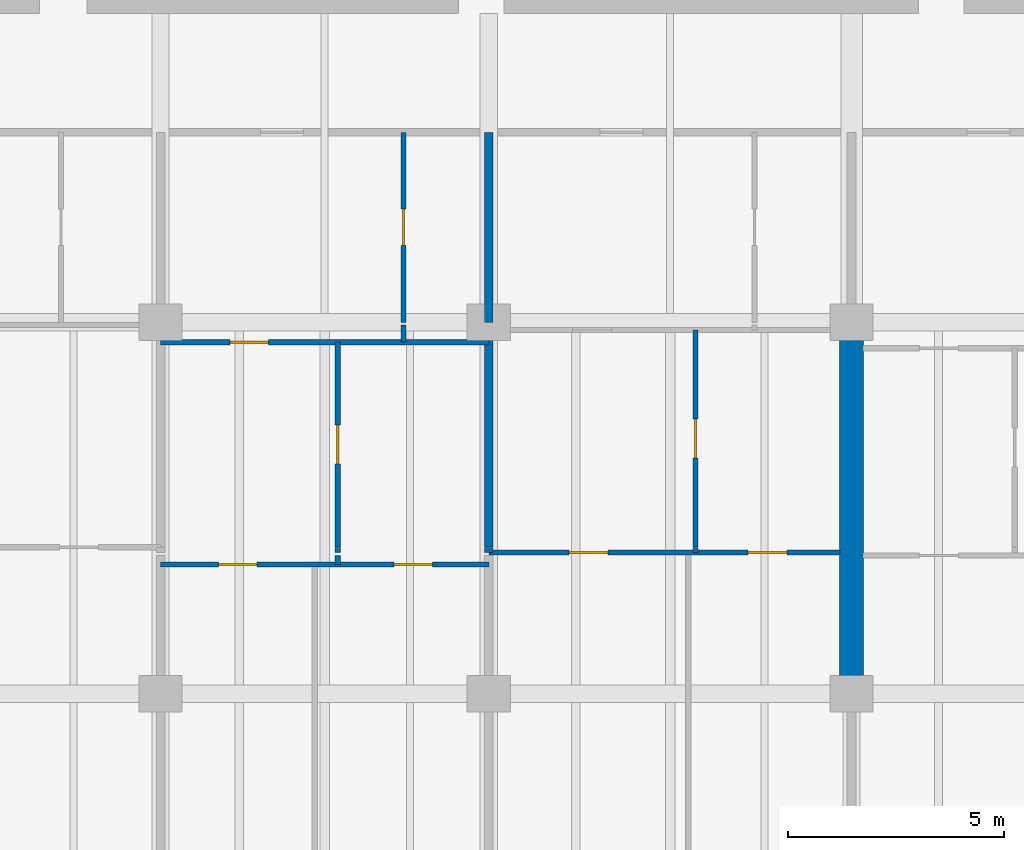
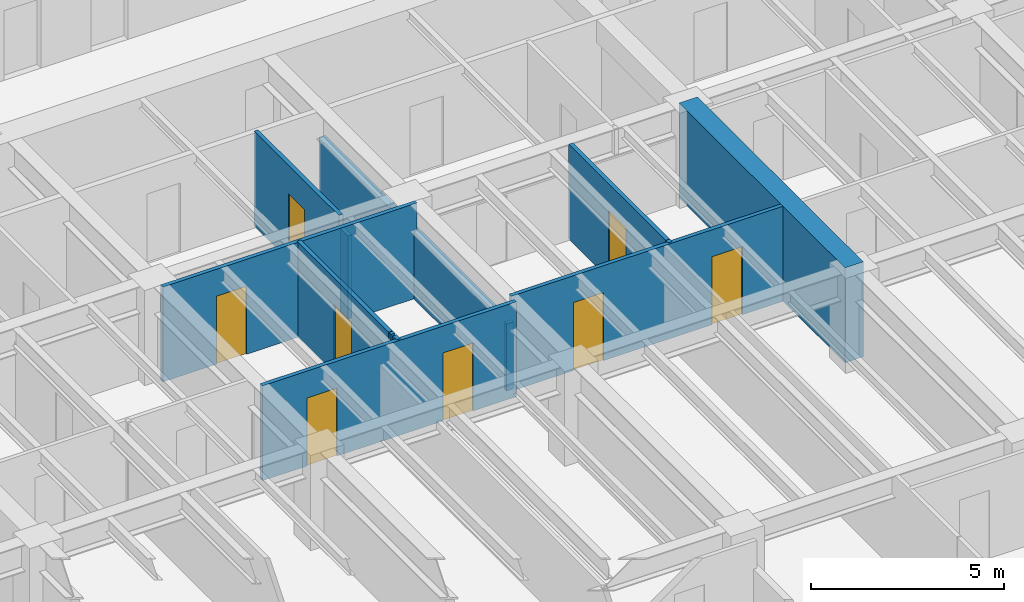
# One storey, part 9 of 19: 14 walls, 8 doors, 8 openings.
"""IFC4 building model written with IfcOpenShell, lengths in metres."""

from ifc_helpers import new_model, si_unit, direction, frame, frame_2d, origin, place, context, subcontext, project, spatial, rectangle, extrude, material, layer, layer_set, type_object, element, fill, save


model = new_model("IFC4")

# Units and contexts
model_context = context("Model", 3, precision=1e-05, world=origin(), true_north=direction((0.0, 1.0)))
body_context = subcontext(model_context, "Body", "Model", "MODEL_VIEW")
ifc_project = project(units=[si_unit("LENGTHUNIT", "METRE"), si_unit("AREAUNIT", "SQUARE_METRE"), si_unit("VOLUMEUNIT", "CUBIC_METRE"), si_unit("PLANEANGLEUNIT", "RADIAN"), si_unit("MASSUNIT", "GRAM", prefix="KILO")], contexts=[model_context])

# Site, building, storey
site_placement = place(None, origin())
site = spatial("IfcSite", under=ifc_project, at=site_placement, CompositionType="ELEMENT")
building_placement = place(site_placement, origin())
building = spatial("IfcBuilding", under=site, at=building_placement, Name="Caelmar Bay Residences", CompositionType="ELEMENT")
storey_placement = place(building_placement, frame((0.0, 0.0, 94.5)))
storey = spatial("IfcBuildingStorey", under=building, at=storey_placement, Name="L25", CompositionType="ELEMENT", Elevation=94.5)

# Walls
ifc_material_1 = material(Name="Concrete f'c 70 MPa (10,000 psi)", Category="concrete")
ifc_layer_1 = layer(ifc_material_1, 0.550048828125)
ifc_layer_set_1 = layer_set([ifc_layer_1], Name="Concrete f'c 70 MPa (10,000 psi)")
wall_type_1 = type_object("IfcWallType", Name="SW-XSLB-550", PredefinedType="SHEAR", material=ifc_layer_set_1)
wall_1_placement = place(storey_placement, frame((51.10009765625, 20.800048828125, 0.0), z_axis=(0.0, 0.0, 1.0), x_axis=(0.0, 1.0, 0.0)))
element("IfcWall", 1, at=wall_1_placement, inside=storey, type_object=wall_type_1, Name="L25 Transverse Cross-Slab Shear Wall E8", PredefinedType="SHEAR", context=body_context, shape_type="SweptSolid", body=[
    extrude(rectangle(XDim=8.599853515625, YDim=0.550048828125, at=frame_2d((4.2998046875, 0.0))), origin(), (0.0, 0.0, 1.0), 3.0),
])
ifc_material_2 = material(Name="Acoustic metal-stud gypsum partition 120 mm")
ifc_layer_2 = layer(ifc_material_2, 0.1201171875)
ifc_layer_set_2 = layer_set([ifc_layer_2], Name="Acoustic metal-stud gypsum partition 120 mm")
wall_type_2 = type_object("IfcWallType", Name="W-PRT-120", PredefinedType="PARTITIONING", material=ifc_layer_set_2)
wall_2_placement = place(storey_placement, frame((39.2041015625, 23.7900390625, 0.0), z_axis=(0.0, 0.0, 1.0), x_axis=(0.0, 1.0, 0.0)))
element("IfcWall", 2, at=wall_2_placement, inside=storey, type_object=wall_type_2, Name="L25 Partition Wall V047", PredefinedType="PARTITIONING", context=body_context, shape_type="SweptSolid", body=[
    extrude(rectangle(XDim=0.2099609375, YDim=0.1201171875, at=frame_2d((0.10498046875, 0.0))), origin(), (0.0, 0.0, 1.0), 3.0),
])
wall_3_placement = place(storey_placement, frame((39.2041015625, 24.070068359375, 0.0), z_axis=(0.0, 0.0, 1.0), x_axis=(0.0, 1.0, 0.0)))
element("IfcWall", 3, at=wall_3_placement, inside=storey, type_object=wall_type_2, Name="L25 Partition Wall V048", PredefinedType="PARTITIONING", context=body_context, shape_type="SweptSolid", body=[
    extrude(rectangle(XDim=0.119873046875, YDim=0.1201171875, at=frame_2d((0.06005859375, 0.0))), origin(), (0.0, 0.0, 1.0), 3.0),
])

# Wall, opening, door
wall_4_placement = place(storey_placement, frame((39.2041015625, 24.199951171875, 0.0), z_axis=(0.0, 0.0, 1.0), x_axis=(0.0, 1.0, 0.0)))
wall_4 = element("IfcWall", 4, at=wall_4_placement, inside=storey, type_object=wall_type_2, Name="L25 Partition Wall V049", PredefinedType="PARTITIONING", context=body_context, shape_type="SweptSolid", body=[
    extrude(rectangle(XDim=4.739990234375, YDim=0.1201171875, at=frame_2d((2.3701171875, 0.0))), origin(), (0.0, 0.0, 1.0), 3.0),
])
opening_1_placement = place(wall_4_placement, frame((1.919921875, 0.0, 0.0)))
opening_1 = element("IfcOpeningElement", 5, at=opening_1_placement, cuts=wall_4, Name="Opening D-L25-140", PredefinedType="OPENING", context=body_context, shape_type="SweptSolid", body=[
    extrude(rectangle(XDim=0.89990234375, YDim=2.14990234375, at=frame_2d((0.449951171875, 1.074951171875))), frame((0.0, 0.070068359375, 0.0), z_axis=(0.0, -1.0, 0.0), x_axis=(1.0, 0.0, 0.0)), (0.0, 0.0, 1.0), 0.14013671875),
])
ifc_material_3 = material(Name="Solid walnut timber interior door leaf and frame", Category="wood")
ifc_layer_3 = layer(ifc_material_3, 0.050048828125)
ifc_layer_set_3 = layer_set([ifc_layer_3], Name="Solid walnut timber interior door leaf and frame")
door_type_1 = type_object("IfcDoorType", Name="D-ROOM-900", OperationType="NOTDEFINED", PredefinedType="DOOR", material=ifc_layer_set_3)
door_1_placement = place(opening_1_placement, origin())
door_1 = element("IfcDoor", 6, at=door_1_placement, inside=storey, type_object=door_type_1, Name="L25 Residence 03 Home Office Door", OperationType="SINGLE_SWING_LEFT", OverallHeight=2.14990234375, OverallWidth=0.89990234375, PredefinedType="DOOR", context=body_context, shape_type="SweptSolid", body=[
    extrude(rectangle(XDim=0.89990234375, YDim=2.14990234375, at=frame_2d((0.449951171875, 1.074951171875))), frame((0.0, 0.02490234375, 0.0), z_axis=(0.0, -1.0, 0.0), x_axis=(1.0, 0.0, 0.0)), (0.0, 0.0, 1.0), 0.050048828125),
])
fill(opening_1, door_1)

# Wall
wall_5_placement = place(storey_placement, frame((40.72509765625, 28.93994140625, 0.0), z_axis=(0.0, 0.0, 1.0), x_axis=(0.0, 1.0, 0.0)))
element("IfcWall", 7, at=wall_5_placement, inside=storey, type_object=wall_type_2, Name="L25 Partition Wall V051", PredefinedType="PARTITIONING", context=body_context, shape_type="SweptSolid", body=[
    extrude(rectangle(XDim=0.400146484375, YDim=0.1201171875, at=frame_2d((0.2001953125, 0.0))), origin(), (0.0, 0.0, 1.0), 2.62890625),
])

# Wall, opening, door
wall_6_placement = place(storey_placement, frame((40.72509765625, 29.39990234375, 0.0), z_axis=(0.0, 0.0, 1.0), x_axis=(0.0, 1.0, 0.0)))
wall_6 = element("IfcWall", 8, at=wall_6_placement, inside=storey, type_object=wall_type_2, Name="L25 Partition Wall V052", PredefinedType="PARTITIONING", context=body_context, shape_type="SweptSolid", body=[
    extrude(rectangle(XDim=4.400146484375, YDim=0.1201171875, at=frame_2d((2.2001953125, 0.0))), origin(), (0.0, 0.0, 1.0), 3.0),
])
opening_2_placement = place(wall_6_placement, frame((1.77490234375, 0.0, 0.0)))
opening_2 = element("IfcOpeningElement", 9, at=opening_2_placement, cuts=wall_6, Name="Opening D-L25-138", PredefinedType="OPENING", context=body_context, shape_type="SweptSolid", body=[
    extrude(rectangle(XDim=0.85009765625, YDim=2.10009765625, at=frame_2d((0.425048828125, 1.050048828125))), frame((0.0, 0.070068359375, 0.0), z_axis=(0.0, -1.0, 0.0), x_axis=(1.0, 0.0, 0.0)), (0.0, 0.0, 1.0), 0.14013671875),
])
ifc_layer_4 = layer(ifc_material_3, 0.050048828125)
ifc_layer_set_4 = layer_set([ifc_layer_4], Name="Solid walnut timber interior door leaf and frame")
door_type_2 = type_object("IfcDoorType", Name="D-BATH-850", OperationType="NOTDEFINED", PredefinedType="DOOR", material=ifc_layer_set_4)
door_2_placement = place(opening_2_placement, origin())
door_2 = element("IfcDoor", 10, at=door_2_placement, inside=storey, type_object=door_type_2, Name="L25 Residence 03 Bathroom Door", OperationType="SINGLE_SWING_LEFT", OverallHeight=2.10009765625, OverallWidth=0.85009765625, PredefinedType="DOOR", context=body_context, shape_type="SweptSolid", body=[
    extrude(rectangle(XDim=0.85009765625, YDim=2.10009765625, at=frame_2d((0.425048828125, 1.050048828125))), frame((0.0, 0.02490234375, 0.0), z_axis=(0.0, -1.0, 0.0), x_axis=(1.0, 0.0, 0.0)), (0.0, 0.0, 1.0), 0.050048828125),
])
fill(opening_2, door_2)

# Wall
wall_7_placement = place(storey_placement, frame((47.486083984375, 24.070068359375, 0.0), z_axis=(0.0, 0.0, 1.0), x_axis=(0.0, 1.0, 0.0)))
element("IfcWall", 11, at=wall_7_placement, inside=storey, type_object=wall_type_2, Name="L25 Partition Wall V062", PredefinedType="PARTITIONING", context=body_context, shape_type="SweptSolid", body=[
    extrude(rectangle(XDim=0.119873046875, YDim=0.1201171875, at=frame_2d((0.06005859375, 0.0))), origin(), (0.0, 0.0, 1.0), 3.0),
])

# Wall, opening, door
wall_8_placement = place(storey_placement, frame((47.486083984375, 24.199951171875, 0.0), z_axis=(0.0, 0.0, 1.0), x_axis=(0.0, 1.0, 0.0)))
wall_8 = element("IfcWall", 12, at=wall_8_placement, inside=storey, type_object=wall_type_2, Name="L25 Partition Wall V063", PredefinedType="PARTITIONING", context=body_context, shape_type="SweptSolid", body=[
    extrude(rectangle(XDim=5.02001953125, YDim=0.1201171875, at=frame_2d((2.510009765625, 0.0))), origin(), (0.0, 0.0, 1.0), 3.0),
])
opening_3_placement = place(wall_8_placement, frame((2.06005859375, 0.0, 0.0)))
opening_3 = element("IfcOpeningElement", 13, at=opening_3_placement, cuts=wall_8, Name="Opening D-L25-147", PredefinedType="OPENING", context=body_context, shape_type="SweptSolid", body=[
    extrude(rectangle(XDim=0.89990234375, YDim=2.14990234375, at=frame_2d((0.449951171875, 1.074951171875))), frame((0.0, 0.070068359375, 0.0), z_axis=(0.0, -1.0, 0.0), x_axis=(1.0, 0.0, 0.0)), (0.0, 0.0, 1.0), 0.14013671875),
])
door_3_placement = place(opening_3_placement, origin())
door_3 = element("IfcDoor", 14, at=door_3_placement, inside=storey, type_object=door_type_1, Name="L25 Residence 04 Home Office Door", OperationType="SINGLE_SWING_RIGHT", OverallHeight=2.14990234375, OverallWidth=0.89990234375, PredefinedType="DOOR", context=body_context, shape_type="SweptSolid", body=[
    extrude(rectangle(XDim=0.89990234375, YDim=2.14990234375, at=frame_2d((0.449951171875, 1.074951171875))), frame((0.0, 0.02490234375, 0.0), z_axis=(0.0, -1.0, 0.0), x_axis=(1.0, 0.0, 0.0)), (0.0, 0.0, 1.0), 0.050048828125),
])
fill(opening_3, door_3)

# Wall, openings, doors
wall_9_placement = place(storey_placement, frame((35.10009765625, 23.7900390625, 0.0), z_axis=(0.0, 0.0, 1.0), x_axis=(1.0, 0.0, 0.0)))
wall_9 = element("IfcWall", 15, at=wall_9_placement, inside=storey, type_object=wall_type_2, Name="L25 Partition Wall H104", PredefinedType="PARTITIONING", context=body_context, shape_type="SweptSolid", body=[
    extrude(rectangle(XDim=7.599853515625, YDim=0.1201171875, at=frame_2d((3.7998046875, 0.0))), origin(), (0.0, 0.0, 1.0), 3.0),
])
opening_4_placement = place(wall_9_placement, frame((1.3359375, 0.0, 0.0)))
opening_4 = element("IfcOpeningElement", 16, at=opening_4_placement, cuts=wall_9, Name="Opening D-L25-141", PredefinedType="OPENING", context=body_context, shape_type="SweptSolid", body=[
    extrude(rectangle(XDim=0.89990234375, YDim=2.14990234375, at=frame_2d((0.449951171875, 1.074951171875))), frame((0.0, 0.070068359375, 0.0), z_axis=(0.0, -1.0, 0.0), x_axis=(1.0, 0.0, 0.0)), (0.0, 0.0, 1.0), 0.14013671875),
])
opening_5_placement = place(wall_9_placement, frame((5.402099609375, 0.0, 0.0)))
opening_5 = element("IfcOpeningElement", 17, at=opening_5_placement, cuts=wall_9, Name="Opening D-L25-142", PredefinedType="OPENING", context=body_context, shape_type="SweptSolid", body=[
    extrude(rectangle(XDim=0.89990234375, YDim=2.14990234375, at=frame_2d((0.449951171875, 1.074951171875))), frame((0.0, 0.070068359375, 0.0), z_axis=(0.0, -1.0, 0.0), x_axis=(1.0, 0.0, 0.0)), (0.0, 0.0, 1.0), 0.14013671875),
])
door_4_placement = place(opening_4_placement, origin())
door_4 = element("IfcDoor", 18, at=door_4_placement, inside=storey, type_object=door_type_1, Name="L25 Residence 03 Living Room Door", OperationType="SINGLE_SWING_RIGHT", OverallHeight=2.14990234375, OverallWidth=0.89990234375, PredefinedType="DOOR", context=body_context, shape_type="SweptSolid", body=[
    extrude(rectangle(XDim=0.89990234375, YDim=2.14990234375, at=frame_2d((0.449951171875, 1.074951171875))), frame((0.0, 0.02490234375, 0.0), z_axis=(0.0, -1.0, 0.0), x_axis=(1.0, 0.0, 0.0)), (0.0, 0.0, 1.0), 0.050048828125),
])
fill(opening_4, door_4)
door_5_placement = place(opening_5_placement, origin())
door_5 = element("IfcDoor", 19, at=door_5_placement, inside=storey, type_object=door_type_1, Name="L25 Residence 03 Penthouse Sitting Room Door", OperationType="SINGLE_SWING_LEFT", OverallHeight=2.14990234375, OverallWidth=0.89990234375, PredefinedType="DOOR", context=body_context, shape_type="SweptSolid", body=[
    extrude(rectangle(XDim=0.89990234375, YDim=2.14990234375, at=frame_2d((0.449951171875, 1.074951171875))), frame((0.0, 0.02490234375, 0.0), z_axis=(0.0, -1.0, 0.0), x_axis=(1.0, 0.0, 0.0)), (0.0, 0.0, 1.0), 0.050048828125),
])
fill(opening_5, door_5)

wall_10_placement = place(storey_placement, frame((42.699951171875, 24.070068359375, 0.0), z_axis=(0.0, 0.0, 1.0), x_axis=(1.0, 0.0, 0.0)))
wall_10 = element("IfcWall", 20, at=wall_10_placement, inside=storey, type_object=wall_type_2, Name="L25 Partition Wall H107", PredefinedType="PARTITIONING", context=body_context, shape_type="SweptSolid", body=[
    extrude(rectangle(XDim=8.130126953125, YDim=0.1201171875, at=frame_2d((4.06494140625, 0.0))), origin(), (0.0, 0.0, 1.0), 3.0),
])
opening_6_placement = place(wall_10_placement, frame((1.860107421875, 0.0, 0.0)))
opening_6 = element("IfcOpeningElement", 21, at=opening_6_placement, cuts=wall_10, Name="Opening D-L25-148", PredefinedType="OPENING", context=body_context, shape_type="SweptSolid", body=[
    extrude(rectangle(XDim=0.89990234375, YDim=2.14990234375, at=frame_2d((0.449951171875, 1.074951171875))), frame((0.0, 0.070068359375, 0.0), z_axis=(0.0, -1.0, 0.0), x_axis=(1.0, 0.0, 0.0)), (0.0, 0.0, 1.0), 0.14013671875),
])
opening_7_placement = place(wall_10_placement, frame((6.008056640625, 0.0, 0.0)))
opening_7 = element("IfcOpeningElement", 22, at=opening_7_placement, cuts=wall_10, Name="Opening D-L25-149", PredefinedType="OPENING", context=body_context, shape_type="SweptSolid", body=[
    extrude(rectangle(XDim=0.89990234375, YDim=2.14990234375, at=frame_2d((0.449951171875, 1.074951171875))), frame((0.0, 0.070068359375, 0.0), z_axis=(0.0, -1.0, 0.0), x_axis=(1.0, 0.0, 0.0)), (0.0, 0.0, 1.0), 0.14013671875),
])
door_6_placement = place(opening_6_placement, origin())
door_6 = element("IfcDoor", 23, at=door_6_placement, inside=storey, type_object=door_type_1, Name="L25 Residence 04 Penthouse Living Salon Door", OperationType="SINGLE_SWING_LEFT", OverallHeight=2.14990234375, OverallWidth=0.89990234375, PredefinedType="DOOR", context=body_context, shape_type="SweptSolid", body=[
    extrude(rectangle(XDim=0.89990234375, YDim=2.14990234375, at=frame_2d((0.449951171875, 1.074951171875))), frame((0.0, 0.02490234375, 0.0), z_axis=(0.0, -1.0, 0.0), x_axis=(1.0, 0.0, 0.0)), (0.0, 0.0, 1.0), 0.050048828125),
])
fill(opening_6, door_6)
door_7_placement = place(opening_7_placement, origin())
door_7 = element("IfcDoor", 24, at=door_7_placement, inside=storey, type_object=door_type_1, Name="L25 Residence 04 Penthouse Sitting Room Door", OperationType="SINGLE_SWING_RIGHT", OverallHeight=2.14990234375, OverallWidth=0.89990234375, PredefinedType="DOOR", context=body_context, shape_type="SweptSolid", body=[
    extrude(rectangle(XDim=0.89990234375, YDim=2.14990234375, at=frame_2d((0.449951171875, 1.074951171875))), frame((0.0, 0.02490234375, 0.0), z_axis=(0.0, -1.0, 0.0), x_axis=(1.0, 0.0, 0.0)), (0.0, 0.0, 1.0), 0.050048828125),
])
fill(opening_7, door_7)

# Wall, opening, door
wall_11_placement = place(storey_placement, frame((35.10009765625, 28.93994140625, 0.0), z_axis=(0.0, 0.0, 1.0), x_axis=(1.0, 0.0, 0.0)))
wall_11 = element("IfcWall", 25, at=wall_11_placement, inside=storey, type_object=wall_type_2, Name="L25 Partition Wall H115", PredefinedType="PARTITIONING", context=body_context, shape_type="SweptSolid", body=[
    extrude(rectangle(XDim=7.599853515625, YDim=0.1201171875, at=frame_2d((3.7998046875, 0.0))), origin(), (0.0, 0.0, 1.0), 3.0),
])
opening_8_placement = place(wall_11_placement, frame((1.60205078125, 0.0, 0.0)))
opening_8 = element("IfcOpeningElement", 26, at=opening_8_placement, cuts=wall_11, Name="Opening D-L25-139", PredefinedType="OPENING", context=body_context, shape_type="SweptSolid", body=[
    extrude(rectangle(XDim=0.89990234375, YDim=2.14990234375, at=frame_2d((0.449951171875, 1.074951171875))), frame((0.0, 0.070068359375, 0.0), z_axis=(0.0, -1.0, 0.0), x_axis=(1.0, 0.0, 0.0)), (0.0, 0.0, 1.0), 0.14013671875),
])
door_8_placement = place(opening_8_placement, origin())
door_8 = element("IfcDoor", 27, at=door_8_placement, inside=storey, type_object=door_type_1, Name="L25 Residence 03 Kitchen Door", OperationType="SINGLE_SWING_RIGHT", OverallHeight=2.14990234375, OverallWidth=0.89990234375, PredefinedType="DOOR", context=body_context, shape_type="SweptSolid", body=[
    extrude(rectangle(XDim=0.89990234375, YDim=2.14990234375, at=frame_2d((0.449951171875, 1.074951171875))), frame((0.0, 0.02490234375, 0.0), z_axis=(0.0, -1.0, 0.0), x_axis=(1.0, 0.0, 0.0)), (0.0, 0.0, 1.0), 0.050048828125),
])
fill(opening_8, door_8)

# Walls
ifc_material_4 = material(Name="Acoustic twin-stud fire-rated inter-tenancy partition 200 mm")
ifc_layer_5 = layer(ifc_material_4, 0.199951171875)
ifc_layer_set_5 = layer_set([ifc_layer_5], Name="Acoustic twin-stud fire-rated inter-tenancy partition 200 mm")
wall_type_3 = type_object("IfcWallType", Name="W-PTY-200", PredefinedType="PARTITIONING", material=ifc_layer_set_5)
wall_12_placement = place(storey_placement, frame((42.699951171875, 24.070068359375, 0.0), z_axis=(0.0, 0.0, 1.0), x_axis=(0.0, 1.0, 0.0)))
element("IfcWall", 28, at=wall_12_placement, inside=storey, type_object=wall_type_3, Name="L25 Partition Wall V055", PredefinedType="PARTITIONING", context=body_context, shape_type="SweptSolid", body=[
    extrude(rectangle(XDim=0.119873046875, YDim=0.199951171875, at=frame_2d((0.06005859375, 0.0))), origin(), (0.0, 0.0, 1.0), 2.1240234375),
])
wall_13_placement = place(storey_placement, frame((42.699951171875, 24.199951171875, 0.0), z_axis=(0.0, 0.0, 1.0), x_axis=(0.0, 1.0, 0.0)))
element("IfcWall", 29, at=wall_13_placement, inside=storey, type_object=wall_type_3, Name="L25 Partition Wall V056", PredefinedType="PARTITIONING", context=body_context, shape_type="SweptSolid", body=[
    extrude(rectangle(XDim=5.14013671875, YDim=0.199951171875, at=frame_2d((2.570068359375, 0.0))), origin(), (0.0, 0.0, 1.0), 2.1240234375),
])
wall_14_placement = place(storey_placement, frame((42.699951171875, 29.39990234375, 0.0), z_axis=(0.0, 0.0, 1.0), x_axis=(0.0, 1.0, 0.0)))
element("IfcWall", 30, at=wall_14_placement, inside=storey, type_object=wall_type_3, Name="L25 Partition Wall V057", PredefinedType="PARTITIONING", context=body_context, shape_type="SweptSolid", body=[
    extrude(rectangle(XDim=4.400146484375, YDim=0.199951171875, at=frame_2d((2.2001953125, 0.0))), origin(), (0.0, 0.0, 1.0), 2.1240234375),
])

save(model, "model.ifc")
